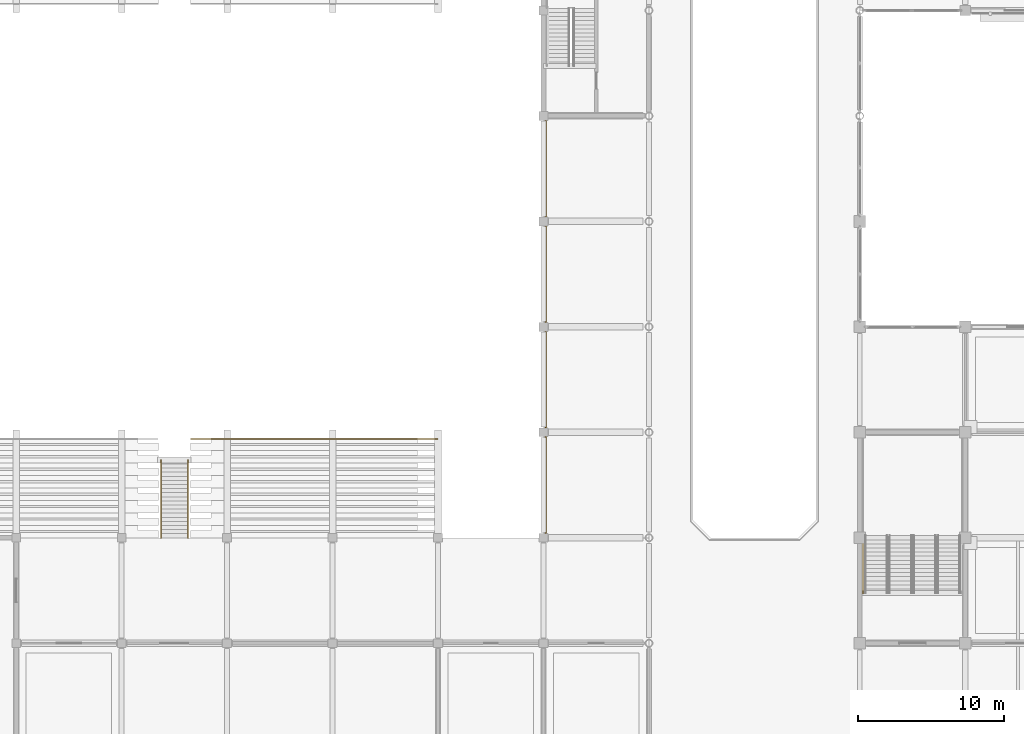
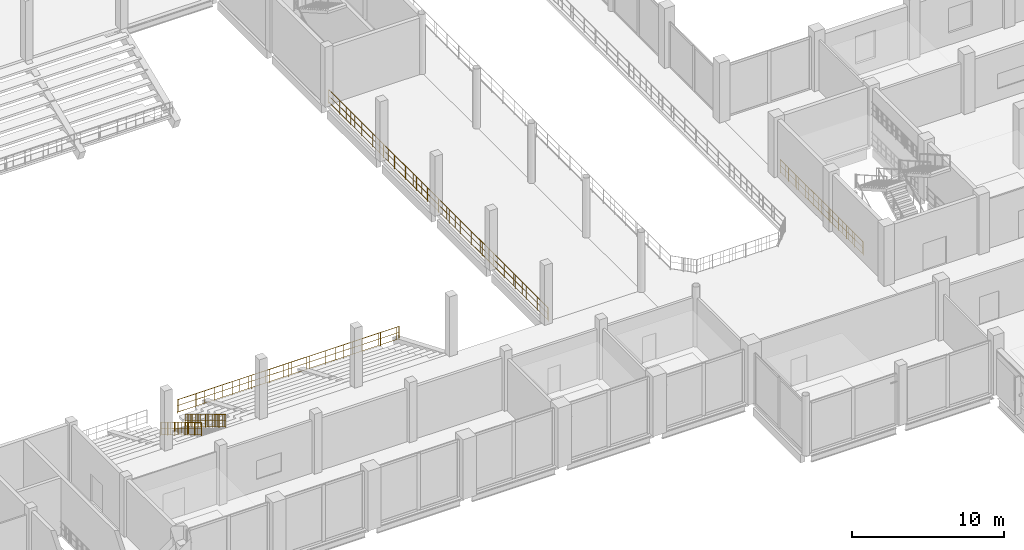
# One storey, part 87 of 99: 5 railings.
"""IFC4 building model written with IfcOpenShell, lengths in metres."""

import ifcopenshell
import ifcopenshell.guid

model = None  # the IFC model being written
_history = None  # IfcOwnerHistory: only IFC2X3 demands one
_inside = {}  # id of a spatial element -> (the spatial element, [elements in it])
_under = {}  # id of a project, library or spatial element -> (it, [spatial elements below it])
_declared = {}  # id of a project -> (the project, [libraries it declares])
_typed = {}  # id of a type object -> (the type object, [elements of that type])
_made_of = {}  # id of a material, layer set ... -> (it, [elements and type objects made of it])


def new_model(schema):
    """Start an empty IFC model of exactly this schema.

    Asked for "IFC4X3", IfcOpenShell would pick the latest addendum, in which some entities
    have other attributes; the version numbers below select the first issue.
    IFC2X3 requires an IfcOwnerHistory on every rooted entity: one is made here for all.
    """
    global model, _history
    if schema == "IFC4X3":
        model = ifcopenshell.file(schema_version=(4, 3, 0, 0))
    else:
        model = ifcopenshell.file(schema=schema)
    _inside.clear()
    _under.clear()
    _declared.clear()
    _typed.clear()
    _made_of.clear()
    _history = None
    if model.schema == "IFC2X3":
        org = make("IfcOrganization", Name="unknown")
        user = make(
            "IfcPersonAndOrganization",
            ThePerson=make("IfcPerson", FamilyName="unknown"),
            TheOrganization=org,
        )
        app = make(
            "IfcApplication",
            ApplicationDeveloper=org,
            Version="unknown",
            ApplicationFullName="unknown",
            ApplicationIdentifier="unknown",
        )
        _history = make(
            "IfcOwnerHistory",
            OwningUser=user,
            OwningApplication=app,
            ChangeAction="ADDED",
            CreationDate=0,
        )
    return model


def make(cls, **values):
    """One entity of the class cls with the attributes given. An attribute that is None is left unset."""
    return model.create_entity(
        cls, **{name: value for name, value in values.items() if value is not None}
    )


def rooted(cls, **values):
    """An entity with a GlobalId (a new one), such as an element, a storey or a relation."""
    return make(cls, GlobalId=ifcopenshell.guid.new(), OwnerHistory=_history, **values)


def si_unit(unit_type, name, prefix=None):
    """IfcSIUnit, for example si_unit("LENGTHUNIT", "METRE", prefix="MILLI")."""
    return make("IfcSIUnit", UnitType=unit_type, Prefix=prefix, Name=name)


def assignment(units):
    """IfcUnitAssignment: the units of a project."""
    return None if units is None else make("IfcUnitAssignment", Units=units)


def point(xyz):
    """IfcCartesianPoint."""
    return None if xyz is None else make("IfcCartesianPoint", Coordinates=xyz)


def direction(xyz):
    """IfcDirection."""
    return None if xyz is None else make("IfcDirection", DirectionRatios=xyz)


def frame(location, z_axis=None, x_axis=None):
    """IfcAxis2Placement3D, a coordinate frame: its origin and axes. An axis left out is left unset."""
    return make(
        "IfcAxis2Placement3D",
        Location=point(location),
        Axis=direction(z_axis),
        RefDirection=direction(x_axis),
    )


def frame_2d(location, x_axis=None):
    """IfcAxis2Placement2D, a coordinate frame in the plane: its origin and x axis."""
    return make(
        "IfcAxis2Placement2D", Location=point(location), RefDirection=direction(x_axis)
    )


def origin():
    """The frame at (0, 0, 0) with its axes left unset."""
    return frame((0.0, 0.0, 0.0))


def origin_2d():
    """The frame at (0, 0) in the plane with its x axis left unset."""
    return frame_2d((0.0, 0.0))


def place(relative_to, where):
    """IfcLocalPlacement: puts the frame where relative to a parent placement (None: the world)."""
    return make(
        "IfcLocalPlacement", PlacementRelTo=relative_to, RelativePlacement=where
    )


def context(
    kind, dimensions, precision=None, world=None, true_north=None, identifier=None
):
    """IfcGeometricRepresentationContext, for example the 3D "Model" context."""
    return make(
        "IfcGeometricRepresentationContext",
        ContextIdentifier=identifier,
        ContextType=kind,
        CoordinateSpaceDimension=dimensions,
        Precision=precision,
        WorldCoordinateSystem=world,
        TrueNorth=true_north,
    )


def subcontext(parent, identifier, kind, view, scale=None):
    """IfcGeometricRepresentationSubContext, for example "Body" below "Model"."""
    return make(
        "IfcGeometricRepresentationSubContext",
        ContextIdentifier=identifier,
        ContextType=kind,
        ParentContext=parent,
        TargetScale=scale,
        TargetView=view,
    )


def project(units=None, contexts=None):
    """IfcProject with its units and contexts."""
    return rooted(
        "IfcProject",
        Name="project",
        RepresentationContexts=contexts,
        UnitsInContext=assignment(units),
    )


def spatial(cls, under=None, at=None, **own):
    """A site, building, storey or space (cls), placed at a placement, below another one or the project."""
    s = rooted(cls, ObjectPlacement=at, **own)
    if under is not None:
        _under.setdefault(under.id(), (under, []))[1].append(s)
    return s


def profile(cls, at=None, kind="AREA", **sizes):
    """A parametric profile (cls). Its sizes go by their IFC names, for example OverallWidth=200.0."""
    return make(cls, ProfileType=kind, Position=at, **sizes)


def circle(**sizes):
    """IfcCircleProfileDef."""
    return profile("IfcCircleProfileDef", **sizes)


def extrude(swept, where, along, depth):
    """IfcExtrudedAreaSolid: the profile swept, set in the frame where, extruded along a direction by depth."""
    return make(
        "IfcExtrudedAreaSolid",
        SweptArea=swept,
        Position=where,
        ExtrudedDirection=direction(along),
        Depth=depth,
    )


def shape(context_of_items, identifier, shape_type, items):
    """IfcShapeRepresentation: the items that make up one representation, for example the "Body"."""
    return make(
        "IfcShapeRepresentation",
        ContextOfItems=context_of_items,
        RepresentationIdentifier=identifier,
        RepresentationType=shape_type,
        Items=items,
    )


def material(Name=None, Category=None):
    """IfcMaterial."""
    return make("IfcMaterial", Name=Name, Category=Category)


def made_of(thing, what):
    """Note that an element or type object is made of a material, layer set ...; save() writes the relation."""
    if what is not None:
        _made_of.setdefault(what.id(), (what, []))[1].append(thing)
    return thing


def type_object(cls, material=None, **own):
    """A type object (cls), such as IfcWallType, which elements share."""
    return made_of(rooted(cls, **own), material)


def element(
    cls,
    number,
    at=None,
    inside=None,
    cuts=None,
    type_object=None,
    material=None,
    context=None,
    identifier="Body",
    shape_type=None,
    held_by="IfcProductDefinitionShape",
    body=None,
    shapes=None,
    **own,
):
    """One element of the class cls, such as IfcWall. Its Tag is "e" and its number.

    at: its placement. inside: the storey or other place that contains it. cuts: it is an
    opening in that element (IfcRelVoidsElement). A single representation is given by context,
    identifier, shape_type and body (its items); several are given by shapes. held_by: the class
    of the entity that holds the representations. save() writes the other relations.
    """
    e = rooted(cls, Tag="e%d" % number, ObjectPlacement=at, **own)
    if body is not None:
        shapes = [shape(context, identifier, shape_type, body)]
    if shapes is not None:
        e.Representation = make(held_by, Representations=shapes)
    if inside is not None:
        _inside.setdefault(inside.id(), (inside, []))[1].append(e)
    if cuts is not None:
        rooted(
            "IfcRelVoidsElement", RelatingBuildingElement=cuts, RelatedOpeningElement=e
        )
    if type_object is not None:
        _typed.setdefault(type_object.id(), (type_object, []))[1].append(e)
    return made_of(e, material)


def aggregate(whole, parts):
    """IfcRelAggregates: a whole, such as a stair, and the parts it consists of."""
    return rooted("IfcRelAggregates", RelatingObject=whole, RelatedObjects=parts)


def save(model, path):
    """Write the relations noted so far, then the file.

    IfcRelAggregates (storeys below a building ...), IfcRelContainedInSpatialStructure (elements
    in a storey), IfcRelDefinesByType, IfcRelAssociatesMaterial and IfcRelDeclares: one each for
    every whole, place, type object, material and project.
    """
    for whole, parts in _under.values():
        aggregate(whole, parts)
    for where, things in _inside.values():
        rooted(
            "IfcRelContainedInSpatialStructure",
            RelatedElements=things,
            RelatingStructure=where,
        )
    for kind, things in _typed.values():
        rooted("IfcRelDefinesByType", RelatedObjects=things, RelatingType=kind)
    for what, things in _made_of.values():
        rooted("IfcRelAssociatesMaterial", RelatedObjects=things, RelatingMaterial=what)
    for by, libraries in _declared.values():
        rooted("IfcRelDeclares", RelatingContext=by, RelatedDefinitions=libraries)
    model.write(path)


model = new_model("IFC4")

# Units and contexts
model_context = context("Model", 3, precision=1e-05, world=origin(), true_north=direction((0.0, 1.0)))
body_context = subcontext(model_context, "Body", "Model", "MODEL_VIEW")
ifc_project = project(units=[si_unit("LENGTHUNIT", "METRE"), si_unit("AREAUNIT", "SQUARE_METRE"), si_unit("VOLUMEUNIT", "CUBIC_METRE"), si_unit("PLANEANGLEUNIT", "RADIAN"), si_unit("MASSUNIT", "GRAM", prefix="KILO")], contexts=[model_context])

# Site, building, storey
site_placement = place(None, origin())
site = spatial("IfcSite", under=ifc_project, at=site_placement, CompositionType="ELEMENT")
building_placement = place(site_placement, origin())
building = spatial("IfcBuilding", under=site, at=building_placement, Name="Vesperath Aquatics Centre", CompositionType="ELEMENT")
storey_placement = place(building_placement, frame((0.0, 0.0, 5.39990234375)))
storey = spatial("IfcBuildingStorey", under=building, at=storey_placement, Name="L01", CompositionType="ELEMENT", Elevation=5.39990234375)

# Railings
ifc_material = material(Name="Powder-coated galvanized steel safety guard", Category="steel")
railing_type = type_object("IfcRailingType", Name="RL-GRD01", PredefinedType="GUARDRAIL", material=ifc_material)
railing_1_placement = place(storey_placement, frame((115.419921875, 25.0, 0.0)))
element("IfcRailing", 1, at=railing_1_placement, inside=storey, type_object=railing_type, Name="Stair ST7A Shaft Side Guard GR02 L01", PredefinedType="GUARDRAIL", context=body_context, shape_type="SweptSolid", body=[
    extrude(circle(Radius=0.02392578125, at=origin_2d()), frame((0.0, 0.0, 1.0859375), z_axis=(0.0, 1.0, 0.0), x_axis=(-1.0, 0.0, 0.0)), (0.0, 0.0, 1.0), 10.8701171875),
    extrude(circle(Radius=0.01611328125, at=origin_2d()), frame((0.0, 0.0, 0.10009765625), z_axis=(0.0, 1.0, 0.0), x_axis=(-1.0, 0.0, 0.0)), (0.0, 0.0, 1.0), 10.8701171875),
    extrude(circle(Radius=0.01611328125, at=origin_2d()), frame((0.0, 0.0, 0.610595703125), z_axis=(0.0, 1.0, 0.0), x_axis=(-1.0, 0.0, 0.0)), (0.0, 0.0, 1.0), 10.8701171875),
    extrude(circle(Radius=0.009033203125, at=origin_2d()), frame((0.0, 0.10986328125, 0.10009765625)), (0.0, 0.0, 1.0), 0.9619140625),
    extrude(circle(Radius=0.009033203125, at=origin_2d()), frame((0.0, 0.549072265625, 0.10009765625)), (0.0, 0.0, 1.0), 0.9619140625),
    extrude(circle(Radius=0.009033203125, at=origin_2d()), frame((0.0, 0.98828125, 0.10009765625)), (0.0, 0.0, 1.0), 0.9619140625),
    extrude(circle(Radius=0.009033203125, at=origin_2d()), frame((0.0, 1.427490234375, 0.10009765625)), (0.0, 0.0, 1.0), 0.9619140625),
    extrude(circle(Radius=0.009033203125, at=origin_2d()), frame((0.0, 1.86669921875, 0.10009765625)), (0.0, 0.0, 1.0), 0.9619140625),
    extrude(circle(Radius=0.009033203125, at=origin_2d()), frame((0.0, 2.3056640625, 0.10009765625)), (0.0, 0.0, 1.0), 0.9619140625),
    extrude(circle(Radius=0.009033203125, at=origin_2d()), frame((0.0, 2.744873046875, 0.10009765625)), (0.0, 0.0, 1.0), 0.9619140625),
    extrude(circle(Radius=0.009033203125, at=origin_2d()), frame((0.0, 3.18408203125, 0.10009765625)), (0.0, 0.0, 1.0), 0.9619140625),
    extrude(circle(Radius=0.009033203125, at=origin_2d()), frame((0.0, 3.623291015625, 0.10009765625)), (0.0, 0.0, 1.0), 0.9619140625),
    extrude(circle(Radius=0.009033203125, at=origin_2d()), frame((0.0, 4.0625, 0.10009765625)), (0.0, 0.0, 1.0), 0.9619140625),
    extrude(circle(Radius=0.009033203125, at=origin_2d()), frame((0.0, 4.501708984375, 0.10009765625)), (0.0, 0.0, 1.0), 0.9619140625),
    extrude(circle(Radius=0.009033203125, at=origin_2d()), frame((0.0, 4.94091796875, 0.10009765625)), (0.0, 0.0, 1.0), 0.9619140625),
    extrude(circle(Radius=0.009033203125, at=origin_2d()), frame((0.0, 5.380126953125, 0.10009765625)), (0.0, 0.0, 1.0), 0.9619140625),
    extrude(circle(Radius=0.009033203125, at=origin_2d()), frame((0.0, 5.8193359375, 0.10009765625)), (0.0, 0.0, 1.0), 0.9619140625),
    extrude(circle(Radius=0.009033203125, at=origin_2d()), frame((0.0, 6.258544921875, 0.10009765625)), (0.0, 0.0, 1.0), 0.9619140625),
    extrude(circle(Radius=0.009033203125, at=origin_2d()), frame((0.0, 6.69775390625, 0.10009765625)), (0.0, 0.0, 1.0), 0.9619140625),
    extrude(circle(Radius=0.009033203125, at=origin_2d()), frame((0.0, 7.136962890625, 0.10009765625)), (0.0, 0.0, 1.0), 0.9619140625),
    extrude(circle(Radius=0.009033203125, at=origin_2d()), frame((0.0, 7.576171875, 0.10009765625)), (0.0, 0.0, 1.0), 0.9619140625),
    extrude(circle(Radius=0.009033203125, at=origin_2d()), frame((0.0, 8.015380859375, 0.10009765625)), (0.0, 0.0, 1.0), 0.9619140625),
    extrude(circle(Radius=0.009033203125, at=origin_2d()), frame((0.0, 8.45458984375, 0.10009765625)), (0.0, 0.0, 1.0), 0.9619140625),
    extrude(circle(Radius=0.009033203125, at=origin_2d()), frame((0.0, 8.893798828125, 0.10009765625)), (0.0, 0.0, 1.0), 0.9619140625),
    extrude(circle(Radius=0.009033203125, at=origin_2d()), frame((0.0, 9.3330078125, 0.10009765625)), (0.0, 0.0, 1.0), 0.9619140625),
    extrude(circle(Radius=0.009033203125, at=origin_2d()), frame((0.0, 9.772216796875, 0.10009765625)), (0.0, 0.0, 1.0), 0.9619140625),
    extrude(circle(Radius=0.009033203125, at=origin_2d()), frame((0.0, 10.21142578125, 0.10009765625)), (0.0, 0.0, 1.0), 0.9619140625),
    extrude(circle(Radius=0.009033203125, at=origin_2d()), frame((0.0, 10.650634765625, 0.10009765625)), (0.0, 0.0, 1.0), 0.9619140625),
    extrude(circle(Radius=0.02197265625, at=origin_2d()), origin(), (0.0, 0.0, 1.0), 1.0859375),
    extrude(circle(Radius=0.02197265625, at=origin_2d()), frame((0.0, 1.0869140625, 0.0)), (0.0, 0.0, 1.0), 1.0859375),
    extrude(circle(Radius=0.02197265625, at=origin_2d()), frame((0.0, 2.174072265625, 0.0)), (0.0, 0.0, 1.0), 1.0859375),
    extrude(circle(Radius=0.02197265625, at=origin_2d()), frame((0.0, 3.260986328125, 0.0)), (0.0, 0.0, 1.0), 1.0859375),
    extrude(circle(Radius=0.02197265625, at=origin_2d()), frame((0.0, 4.34814453125, 0.0)), (0.0, 0.0, 1.0), 1.0859375),
    extrude(circle(Radius=0.02197265625, at=origin_2d()), frame((0.0, 5.43505859375, 0.0)), (0.0, 0.0, 1.0), 1.0859375),
    extrude(circle(Radius=0.02197265625, at=origin_2d()), frame((0.0, 6.52197265625, 0.0)), (0.0, 0.0, 1.0), 1.0859375),
    extrude(circle(Radius=0.02197265625, at=origin_2d()), frame((0.0, 7.609130859375, 0.0)), (0.0, 0.0, 1.0), 1.0859375),
    extrude(circle(Radius=0.02197265625, at=origin_2d()), frame((0.0, 8.696044921875, 0.0)), (0.0, 0.0, 1.0), 1.0859375),
    extrude(circle(Radius=0.02197265625, at=origin_2d()), frame((0.0, 9.783203125, 0.0)), (0.0, 0.0, 1.0), 1.0859375),
    extrude(circle(Radius=0.02197265625, at=origin_2d()), frame((0.0, 10.8701171875, 0.0)), (0.0, 0.0, 1.0), 1.0859375),
])
railing_2_placement = place(storey_placement, frame((67.47998046875, 34.1201171875, -3.199951171875)))
element("IfcRailing", 2, at=railing_2_placement, inside=storey, type_object=railing_type, Name="Vomitory VOM-03 Guardrail GR02-W", PredefinedType="GUARDRAIL", context=body_context, shape_type="SweptSolid", body=[
    extrude(circle(Radius=0.02392578125, at=origin_2d()), frame((0.0, 0.0, 1.0859375), z_axis=(0.0, -0.85693029826, 0.515432307801), x_axis=(1.0, 0.0, 0.0)), (0.0, 0.0, 1.0), 6.208251953125),
    extrude(circle(Radius=0.01611328125, at=origin_2d()), frame((0.0, 0.0, 0.10009765625), z_axis=(0.0, -0.85693029826, 0.515432307801), x_axis=(1.0, 0.0, 0.0)), (0.0, 0.0, 1.0), 6.208251953125),
    extrude(circle(Radius=0.01611328125, at=origin_2d()), frame((0.0, 0.0, 0.610595703125), z_axis=(0.0, -0.85693029826, 0.515432307801), x_axis=(1.0, 0.0, 0.0)), (0.0, 0.0, 1.0), 6.208251953125),
    extrude(circle(Radius=0.009033203125, at=origin_2d()), frame((0.0, -0.09326171875, 0.15625)), (0.0, 0.0, 1.0), 0.9619140625),
    extrude(circle(Radius=0.009033203125, at=origin_2d()), frame((0.0, -0.280029296875, 0.2685546875)), (0.0, 0.0, 1.0), 0.9619140625),
    extrude(circle(Radius=0.009033203125, at=origin_2d()), frame((0.0, -0.466552734375, 0.380859375)), (0.0, 0.0, 1.0), 0.9619140625),
    extrude(circle(Radius=0.009033203125, at=origin_2d()), frame((0.0, -0.6533203125, 0.4931640625)), (0.0, 0.0, 1.0), 0.9619140625),
    extrude(circle(Radius=0.009033203125, at=origin_2d()), frame((0.0, -0.840087890625, 0.60546875)), (0.0, 0.0, 1.0), 0.9619140625),
    extrude(circle(Radius=0.009033203125, at=origin_2d()), frame((0.0, -1.026611328125, 0.717529296875)), (0.0, 0.0, 1.0), 0.9619140625),
    extrude(circle(Radius=0.009033203125, at=origin_2d()), frame((0.0, -1.21337890625, 0.829833984375)), (0.0, 0.0, 1.0), 0.9619140625),
    extrude(circle(Radius=0.009033203125, at=origin_2d()), frame((0.0, -1.39990234375, 0.942138671875)), (0.0, 0.0, 1.0), 0.9619140625),
    extrude(circle(Radius=0.009033203125, at=origin_2d()), frame((0.0, -1.586669921875, 1.054443359375)), (0.0, 0.0, 1.0), 0.9619140625),
    extrude(circle(Radius=0.009033203125, at=origin_2d()), frame((0.0, -1.7734375, 1.166748046875)), (0.0, 0.0, 1.0), 0.9619140625),
    extrude(circle(Radius=0.009033203125, at=origin_2d()), frame((0.0, -1.9599609375, 1.279052734375)), (0.0, 0.0, 1.0), 0.9619140625),
    extrude(circle(Radius=0.009033203125, at=origin_2d()), frame((0.0, -2.146728515625, 1.391357421875)), (0.0, 0.0, 1.0), 0.9619140625),
    extrude(circle(Radius=0.009033203125, at=origin_2d()), frame((0.0, -2.333251953125, 1.503662109375)), (0.0, 0.0, 1.0), 0.9619140625),
    extrude(circle(Radius=0.009033203125, at=origin_2d()), frame((0.0, -2.52001953125, 1.615966796875)), (0.0, 0.0, 1.0), 0.9619140625),
    extrude(circle(Radius=0.009033203125, at=origin_2d()), frame((0.0, -2.706787109375, 1.72802734375)), (0.0, 0.0, 1.0), 0.9619140625),
    extrude(circle(Radius=0.009033203125, at=origin_2d()), frame((0.0, -2.893310546875, 1.84033203125)), (0.0, 0.0, 1.0), 0.9619140625),
    extrude(circle(Radius=0.009033203125, at=origin_2d()), frame((0.0, -3.080078125, 1.95263671875)), (0.0, 0.0, 1.0), 0.9619140625),
    extrude(circle(Radius=0.009033203125, at=origin_2d()), frame((0.0, -3.2666015625, 2.06494140625)), (0.0, 0.0, 1.0), 0.9619140625),
    extrude(circle(Radius=0.009033203125, at=origin_2d()), frame((0.0, -3.453369140625, 2.17724609375)), (0.0, 0.0, 1.0), 0.9619140625),
    extrude(circle(Radius=0.009033203125, at=origin_2d()), frame((0.0, -3.64013671875, 2.28955078125)), (0.0, 0.0, 1.0), 0.9619140625),
    extrude(circle(Radius=0.009033203125, at=origin_2d()), frame((0.0, -3.82666015625, 2.40185546875)), (0.0, 0.0, 1.0), 0.9619140625),
    extrude(circle(Radius=0.009033203125, at=origin_2d()), frame((0.0, -4.013427734375, 2.51416015625)), (0.0, 0.0, 1.0), 0.9619140625),
    extrude(circle(Radius=0.009033203125, at=origin_2d()), frame((0.0, -4.199951171875, 2.62646484375)), (0.0, 0.0, 1.0), 0.9619140625),
    extrude(circle(Radius=0.009033203125, at=origin_2d()), frame((0.0, -4.38671875, 2.73876953125)), (0.0, 0.0, 1.0), 0.9619140625),
    extrude(circle(Radius=0.009033203125, at=origin_2d()), frame((0.0, -4.573486328125, 2.850830078125)), (0.0, 0.0, 1.0), 0.9619140625),
    extrude(circle(Radius=0.009033203125, at=origin_2d()), frame((0.0, -4.760009765625, 2.963134765625)), (0.0, 0.0, 1.0), 0.9619140625),
    extrude(circle(Radius=0.009033203125, at=origin_2d()), frame((0.0, -4.94677734375, 3.075439453125)), (0.0, 0.0, 1.0), 0.9619140625),
    extrude(circle(Radius=0.009033203125, at=origin_2d()), frame((0.0, -5.13330078125, 3.187744140625)), (0.0, 0.0, 1.0), 0.9619140625),
    extrude(circle(Radius=0.02197265625, at=origin_2d()), origin(), (0.0, 0.0, 1.0), 1.0859375),
    extrude(circle(Radius=0.02197265625, at=origin_2d()), frame((0.0, -0.88671875, 0.533203125)), (0.0, 0.0, 1.0), 1.0859375),
    extrude(circle(Radius=0.02197265625, at=origin_2d()), frame((0.0, -1.7734375, 1.066650390625)), (0.0, 0.0, 1.0), 1.0859375),
    extrude(circle(Radius=0.02197265625, at=origin_2d()), frame((0.0, -2.66015625, 1.60009765625)), (0.0, 0.0, 1.0), 1.0859375),
    extrude(circle(Radius=0.02197265625, at=origin_2d()), frame((0.0, -3.546630859375, 2.13330078125)), (0.0, 0.0, 1.0), 1.0859375),
    extrude(circle(Radius=0.02197265625, at=origin_2d()), frame((0.0, -4.433349609375, 2.66650390625)), (0.0, 0.0, 1.0), 1.0859375),
    extrude(circle(Radius=0.02197265625, at=origin_2d()), frame((0.0, -5.320068359375, 3.199951171875)), (0.0, 0.0, 1.0), 1.0859375),
])
railing_3_placement = place(storey_placement, frame((69.320068359375, 34.1201171875, -3.199951171875)))
element("IfcRailing", 3, at=railing_3_placement, inside=storey, type_object=railing_type, Name="Vomitory VOM-03 Guardrail GR02-E", PredefinedType="GUARDRAIL", context=body_context, shape_type="SweptSolid", body=[
    extrude(circle(Radius=0.02392578125, at=origin_2d()), frame((0.0, 0.0, 1.0859375), z_axis=(0.0, -0.85693029826, 0.515432307801), x_axis=(1.0, 0.0, 0.0)), (0.0, 0.0, 1.0), 6.208251953125),
    extrude(circle(Radius=0.01611328125, at=origin_2d()), frame((0.0, 0.0, 0.10009765625), z_axis=(0.0, -0.85693029826, 0.515432307801), x_axis=(1.0, 0.0, 0.0)), (0.0, 0.0, 1.0), 6.208251953125),
    extrude(circle(Radius=0.01611328125, at=origin_2d()), frame((0.0, 0.0, 0.610595703125), z_axis=(0.0, -0.85693029826, 0.515432307801), x_axis=(1.0, 0.0, 0.0)), (0.0, 0.0, 1.0), 6.208251953125),
    extrude(circle(Radius=0.009033203125, at=origin_2d()), frame((0.0, -0.09326171875, 0.15625)), (0.0, 0.0, 1.0), 0.9619140625),
    extrude(circle(Radius=0.009033203125, at=origin_2d()), frame((0.0, -0.280029296875, 0.2685546875)), (0.0, 0.0, 1.0), 0.9619140625),
    extrude(circle(Radius=0.009033203125, at=origin_2d()), frame((0.0, -0.466552734375, 0.380859375)), (0.0, 0.0, 1.0), 0.9619140625),
    extrude(circle(Radius=0.009033203125, at=origin_2d()), frame((0.0, -0.6533203125, 0.4931640625)), (0.0, 0.0, 1.0), 0.9619140625),
    extrude(circle(Radius=0.009033203125, at=origin_2d()), frame((0.0, -0.840087890625, 0.60546875)), (0.0, 0.0, 1.0), 0.9619140625),
    extrude(circle(Radius=0.009033203125, at=origin_2d()), frame((0.0, -1.026611328125, 0.717529296875)), (0.0, 0.0, 1.0), 0.9619140625),
    extrude(circle(Radius=0.009033203125, at=origin_2d()), frame((0.0, -1.21337890625, 0.829833984375)), (0.0, 0.0, 1.0), 0.9619140625),
    extrude(circle(Radius=0.009033203125, at=origin_2d()), frame((0.0, -1.39990234375, 0.942138671875)), (0.0, 0.0, 1.0), 0.9619140625),
    extrude(circle(Radius=0.009033203125, at=origin_2d()), frame((0.0, -1.586669921875, 1.054443359375)), (0.0, 0.0, 1.0), 0.9619140625),
    extrude(circle(Radius=0.009033203125, at=origin_2d()), frame((0.0, -1.7734375, 1.166748046875)), (0.0, 0.0, 1.0), 0.9619140625),
    extrude(circle(Radius=0.009033203125, at=origin_2d()), frame((0.0, -1.9599609375, 1.279052734375)), (0.0, 0.0, 1.0), 0.9619140625),
    extrude(circle(Radius=0.009033203125, at=origin_2d()), frame((0.0, -2.146728515625, 1.391357421875)), (0.0, 0.0, 1.0), 0.9619140625),
    extrude(circle(Radius=0.009033203125, at=origin_2d()), frame((0.0, -2.333251953125, 1.503662109375)), (0.0, 0.0, 1.0), 0.9619140625),
    extrude(circle(Radius=0.009033203125, at=origin_2d()), frame((0.0, -2.52001953125, 1.615966796875)), (0.0, 0.0, 1.0), 0.9619140625),
    extrude(circle(Radius=0.009033203125, at=origin_2d()), frame((0.0, -2.706787109375, 1.72802734375)), (0.0, 0.0, 1.0), 0.9619140625),
    extrude(circle(Radius=0.009033203125, at=origin_2d()), frame((0.0, -2.893310546875, 1.84033203125)), (0.0, 0.0, 1.0), 0.9619140625),
    extrude(circle(Radius=0.009033203125, at=origin_2d()), frame((0.0, -3.080078125, 1.95263671875)), (0.0, 0.0, 1.0), 0.9619140625),
    extrude(circle(Radius=0.009033203125, at=origin_2d()), frame((0.0, -3.2666015625, 2.06494140625)), (0.0, 0.0, 1.0), 0.9619140625),
    extrude(circle(Radius=0.009033203125, at=origin_2d()), frame((0.0, -3.453369140625, 2.17724609375)), (0.0, 0.0, 1.0), 0.9619140625),
    extrude(circle(Radius=0.009033203125, at=origin_2d()), frame((0.0, -3.64013671875, 2.28955078125)), (0.0, 0.0, 1.0), 0.9619140625),
    extrude(circle(Radius=0.009033203125, at=origin_2d()), frame((0.0, -3.82666015625, 2.40185546875)), (0.0, 0.0, 1.0), 0.9619140625),
    extrude(circle(Radius=0.009033203125, at=origin_2d()), frame((0.0, -4.013427734375, 2.51416015625)), (0.0, 0.0, 1.0), 0.9619140625),
    extrude(circle(Radius=0.009033203125, at=origin_2d()), frame((0.0, -4.199951171875, 2.62646484375)), (0.0, 0.0, 1.0), 0.9619140625),
    extrude(circle(Radius=0.009033203125, at=origin_2d()), frame((0.0, -4.38671875, 2.73876953125)), (0.0, 0.0, 1.0), 0.9619140625),
    extrude(circle(Radius=0.009033203125, at=origin_2d()), frame((0.0, -4.573486328125, 2.850830078125)), (0.0, 0.0, 1.0), 0.9619140625),
    extrude(circle(Radius=0.009033203125, at=origin_2d()), frame((0.0, -4.760009765625, 2.963134765625)), (0.0, 0.0, 1.0), 0.9619140625),
    extrude(circle(Radius=0.009033203125, at=origin_2d()), frame((0.0, -4.94677734375, 3.075439453125)), (0.0, 0.0, 1.0), 0.9619140625),
    extrude(circle(Radius=0.009033203125, at=origin_2d()), frame((0.0, -5.13330078125, 3.187744140625)), (0.0, 0.0, 1.0), 0.9619140625),
    extrude(circle(Radius=0.02197265625, at=origin_2d()), origin(), (0.0, 0.0, 1.0), 1.0859375),
    extrude(circle(Radius=0.02197265625, at=origin_2d()), frame((0.0, -0.88671875, 0.533203125)), (0.0, 0.0, 1.0), 1.0859375),
    extrude(circle(Radius=0.02197265625, at=origin_2d()), frame((0.0, -1.7734375, 1.066650390625)), (0.0, 0.0, 1.0), 1.0859375),
    extrude(circle(Radius=0.02197265625, at=origin_2d()), frame((0.0, -2.66015625, 1.60009765625)), (0.0, 0.0, 1.0), 1.0859375),
    extrude(circle(Radius=0.02197265625, at=origin_2d()), frame((0.0, -3.546630859375, 2.13330078125)), (0.0, 0.0, 1.0), 1.0859375),
    extrude(circle(Radius=0.02197265625, at=origin_2d()), frame((0.0, -4.433349609375, 2.66650390625)), (0.0, 0.0, 1.0), 1.0859375),
    extrude(circle(Radius=0.02197265625, at=origin_2d()), frame((0.0, -5.320068359375, 3.199951171875)), (0.0, 0.0, 1.0), 1.0859375),
])
railing_4_placement = place(storey_placement, frame((69.550048828125, 35.550048828125, -3.0)))
element("IfcRailing", 4, at=railing_4_placement, inside=storey, type_object=railing_type, Name="Safety Guardrail GR02 GRD_L01_BOWL_S4", PredefinedType="GUARDRAIL", context=body_context, shape_type="SweptSolid", body=[
    extrude(circle(Radius=0.02392578125, at=origin_2d()), frame((0.0, 0.0, 1.0859375), z_axis=(1.0, 0.0, 0.0), x_axis=(0.0, 1.0, 0.0)), (0.0, 0.0, 1.0), 16.800048828125),
    extrude(circle(Radius=0.01611328125, at=origin_2d()), frame((0.0, 0.0, 0.10009765625), z_axis=(1.0, 0.0, 0.0), x_axis=(0.0, 1.0, 0.0)), (0.0, 0.0, 1.0), 16.800048828125),
    extrude(circle(Radius=0.01611328125, at=origin_2d()), frame((0.0, 0.0, 0.610595703125), z_axis=(1.0, 0.0, 0.0), x_axis=(0.0, 1.0, 0.0)), (0.0, 0.0, 1.0), 16.800048828125),
    extrude(circle(Radius=0.009033203125, at=origin_2d()), frame((0.10986328125, 0.0, 0.10009765625)), (0.0, 0.0, 1.0), 0.9619140625),
    extrude(circle(Radius=0.009033203125, at=origin_2d()), frame((0.7685546875, 0.0, 0.10009765625)), (0.0, 0.0, 1.0), 0.9619140625),
    extrude(circle(Radius=0.009033203125, at=origin_2d()), frame((1.427490234375, 0.0, 0.10009765625)), (0.0, 0.0, 1.0), 0.9619140625),
    extrude(circle(Radius=0.009033203125, at=origin_2d()), frame((2.086181640625, 0.0, 0.10009765625)), (0.0, 0.0, 1.0), 0.9619140625),
    extrude(circle(Radius=0.009033203125, at=origin_2d()), frame((2.7451171875, 0.0, 0.10009765625)), (0.0, 0.0, 1.0), 0.9619140625),
    extrude(circle(Radius=0.009033203125, at=origin_2d()), frame((3.404052734375, 0.0, 0.10009765625)), (0.0, 0.0, 1.0), 0.9619140625),
    extrude(circle(Radius=0.009033203125, at=origin_2d()), frame((4.062744140625, 0.0, 0.10009765625)), (0.0, 0.0, 1.0), 0.9619140625),
    extrude(circle(Radius=0.009033203125, at=origin_2d()), frame((4.7216796875, 0.0, 0.10009765625)), (0.0, 0.0, 1.0), 0.9619140625),
    extrude(circle(Radius=0.009033203125, at=origin_2d()), frame((5.38037109375, 0.0, 0.10009765625)), (0.0, 0.0, 1.0), 0.9619140625),
    extrude(circle(Radius=0.009033203125, at=origin_2d()), frame((6.039306640625, 0.0, 0.10009765625)), (0.0, 0.0, 1.0), 0.9619140625),
    extrude(circle(Radius=0.009033203125, at=origin_2d()), frame((6.697998046875, 0.0, 0.10009765625)), (0.0, 0.0, 1.0), 0.9619140625),
    extrude(circle(Radius=0.009033203125, at=origin_2d()), frame((7.35693359375, 0.0, 0.10009765625)), (0.0, 0.0, 1.0), 0.9619140625),
    extrude(circle(Radius=0.009033203125, at=origin_2d()), frame((8.015625, 0.0, 0.10009765625)), (0.0, 0.0, 1.0), 0.9619140625),
    extrude(circle(Radius=0.009033203125, at=origin_2d()), frame((8.674560546875, 0.0, 0.10009765625)), (0.0, 0.0, 1.0), 0.9619140625),
    extrude(circle(Radius=0.009033203125, at=origin_2d()), frame((9.333251953125, 0.0, 0.10009765625)), (0.0, 0.0, 1.0), 0.9619140625),
    extrude(circle(Radius=0.009033203125, at=origin_2d()), frame((9.9921875, 0.0, 0.10009765625)), (0.0, 0.0, 1.0), 0.9619140625),
    extrude(circle(Radius=0.009033203125, at=origin_2d()), frame((10.651123046875, 0.0, 0.10009765625)), (0.0, 0.0, 1.0), 0.9619140625),
    extrude(circle(Radius=0.009033203125, at=origin_2d()), frame((11.309814453125, 0.0, 0.10009765625)), (0.0, 0.0, 1.0), 0.9619140625),
    extrude(circle(Radius=0.009033203125, at=origin_2d()), frame((11.96875, 0.0, 0.10009765625)), (0.0, 0.0, 1.0), 0.9619140625),
    extrude(circle(Radius=0.009033203125, at=origin_2d()), frame((12.62744140625, 0.0, 0.10009765625)), (0.0, 0.0, 1.0), 0.9619140625),
    extrude(circle(Radius=0.009033203125, at=origin_2d()), frame((13.286376953125, 0.0, 0.10009765625)), (0.0, 0.0, 1.0), 0.9619140625),
    extrude(circle(Radius=0.009033203125, at=origin_2d()), frame((13.945068359375, 0.0, 0.10009765625)), (0.0, 0.0, 1.0), 0.9619140625),
    extrude(circle(Radius=0.009033203125, at=origin_2d()), frame((14.60400390625, 0.0, 0.10009765625)), (0.0, 0.0, 1.0), 0.9619140625),
    extrude(circle(Radius=0.009033203125, at=origin_2d()), frame((15.2626953125, 0.0, 0.10009765625)), (0.0, 0.0, 1.0), 0.9619140625),
    extrude(circle(Radius=0.009033203125, at=origin_2d()), frame((15.921630859375, 0.0, 0.10009765625)), (0.0, 0.0, 1.0), 0.9619140625),
    extrude(circle(Radius=0.009033203125, at=origin_2d()), frame((16.580322265625, 0.0, 0.10009765625)), (0.0, 0.0, 1.0), 0.9619140625),
    extrude(circle(Radius=0.02197265625, at=origin_2d()), origin(), (0.0, 0.0, 1.0), 1.0859375),
    extrude(circle(Radius=0.02197265625, at=origin_2d()), frame((1.39990234375, 0.0, 0.0)), (0.0, 0.0, 1.0), 1.0859375),
    extrude(circle(Radius=0.02197265625, at=origin_2d()), frame((2.800048828125, 0.0, 0.0)), (0.0, 0.0, 1.0), 1.0859375),
    extrude(circle(Radius=0.02197265625, at=origin_2d()), frame((4.199951171875, 0.0, 0.0)), (0.0, 0.0, 1.0), 1.0859375),
    extrude(circle(Radius=0.02197265625, at=origin_2d()), frame((5.60009765625, 0.0, 0.0)), (0.0, 0.0, 1.0), 1.0859375),
    extrude(circle(Radius=0.02197265625, at=origin_2d()), frame((7.0, 0.0, 0.0)), (0.0, 0.0, 1.0), 1.0859375),
    extrude(circle(Radius=0.02197265625, at=origin_2d()), frame((8.39990234375, 0.0, 0.0)), (0.0, 0.0, 1.0), 1.0859375),
    extrude(circle(Radius=0.02197265625, at=origin_2d()), frame((9.800048828125, 0.0, 0.0)), (0.0, 0.0, 1.0), 1.0859375),
    extrude(circle(Radius=0.02197265625, at=origin_2d()), frame((11.199951171875, 0.0, 0.0)), (0.0, 0.0, 1.0), 1.0859375),
    extrude(circle(Radius=0.02197265625, at=origin_2d()), frame((12.60009765625, 0.0, 0.0)), (0.0, 0.0, 1.0), 1.0859375),
    extrude(circle(Radius=0.02197265625, at=origin_2d()), frame((14.0, 0.0, 0.0)), (0.0, 0.0, 1.0), 1.0859375),
    extrude(circle(Radius=0.02197265625, at=origin_2d()), frame((15.400146484375, 0.0, 0.0)), (0.0, 0.0, 1.0), 1.0859375),
    extrude(circle(Radius=0.02197265625, at=origin_2d()), frame((16.800048828125, 0.0, 0.0)), (0.0, 0.0, 1.0), 1.0859375),
])
railing_5_placement = place(storey_placement, frame((93.75, 28.800048828125, 0.0)))
element("IfcRailing", 5, at=railing_5_placement, inside=storey, type_object=railing_type, Name="Safety Guardrail GR02 GRD_L01_CONC_E", PredefinedType="GUARDRAIL", context=body_context, shape_type="SweptSolid", body=[
    extrude(circle(Radius=0.02392578125, at=origin_2d()), frame((0.0, 0.0, 1.0859375), z_axis=(0.0, 1.0, 0.0), x_axis=(-1.0, 0.0, 0.0)), (0.0, 0.0, 1.0), 28.800048828125),
    extrude(circle(Radius=0.01611328125, at=origin_2d()), frame((0.0, 0.0, 0.10009765625), z_axis=(0.0, 1.0, 0.0), x_axis=(-1.0, 0.0, 0.0)), (0.0, 0.0, 1.0), 28.800048828125),
    extrude(circle(Radius=0.01611328125, at=origin_2d()), frame((0.0, 0.0, 0.610595703125), z_axis=(0.0, 1.0, 0.0), x_axis=(-1.0, 0.0, 0.0)), (0.0, 0.0, 1.0), 28.800048828125),
    extrude(circle(Radius=0.009033203125, at=origin_2d()), frame((0.0, 0.10986328125, 0.10009765625)), (0.0, 0.0, 1.0), 0.9619140625),
    extrude(circle(Radius=0.009033203125, at=origin_2d()), frame((0.0, 1.209228515625, 0.10009765625)), (0.0, 0.0, 1.0), 0.9619140625),
    extrude(circle(Radius=0.009033203125, at=origin_2d()), frame((0.0, 2.308349609375, 0.10009765625)), (0.0, 0.0, 1.0), 0.9619140625),
    extrude(circle(Radius=0.009033203125, at=origin_2d()), frame((0.0, 3.40771484375, 0.10009765625)), (0.0, 0.0, 1.0), 0.9619140625),
    extrude(circle(Radius=0.009033203125, at=origin_2d()), frame((0.0, 4.5068359375, 0.10009765625)), (0.0, 0.0, 1.0), 0.9619140625),
    extrude(circle(Radius=0.009033203125, at=origin_2d()), frame((0.0, 5.606201171875, 0.10009765625)), (0.0, 0.0, 1.0), 0.9619140625),
    extrude(circle(Radius=0.009033203125, at=origin_2d()), frame((0.0, 6.705322265625, 0.10009765625)), (0.0, 0.0, 1.0), 0.9619140625),
    extrude(circle(Radius=0.009033203125, at=origin_2d()), frame((0.0, 7.8046875, 0.10009765625)), (0.0, 0.0, 1.0), 0.9619140625),
    extrude(circle(Radius=0.009033203125, at=origin_2d()), frame((0.0, 8.90380859375, 0.10009765625)), (0.0, 0.0, 1.0), 0.9619140625),
    extrude(circle(Radius=0.009033203125, at=origin_2d()), frame((0.0, 10.003173828125, 0.10009765625)), (0.0, 0.0, 1.0), 0.9619140625),
    extrude(circle(Radius=0.009033203125, at=origin_2d()), frame((0.0, 11.102294921875, 0.10009765625)), (0.0, 0.0, 1.0), 0.9619140625),
    extrude(circle(Radius=0.009033203125, at=origin_2d()), frame((0.0, 12.20166015625, 0.10009765625)), (0.0, 0.0, 1.0), 0.9619140625),
    extrude(circle(Radius=0.009033203125, at=origin_2d()), frame((0.0, 13.30078125, 0.10009765625)), (0.0, 0.0, 1.0), 0.9619140625),
    extrude(circle(Radius=0.009033203125, at=origin_2d()), frame((0.0, 14.39990234375, 0.10009765625)), (0.0, 0.0, 1.0), 0.9619140625),
    extrude(circle(Radius=0.009033203125, at=origin_2d()), frame((0.0, 15.499267578125, 0.10009765625)), (0.0, 0.0, 1.0), 0.9619140625),
    extrude(circle(Radius=0.009033203125, at=origin_2d()), frame((0.0, 16.598388671875, 0.10009765625)), (0.0, 0.0, 1.0), 0.9619140625),
    extrude(circle(Radius=0.009033203125, at=origin_2d()), frame((0.0, 17.69775390625, 0.10009765625)), (0.0, 0.0, 1.0), 0.9619140625),
    extrude(circle(Radius=0.009033203125, at=origin_2d()), frame((0.0, 18.796875, 0.10009765625)), (0.0, 0.0, 1.0), 0.9619140625),
    extrude(circle(Radius=0.009033203125, at=origin_2d()), frame((0.0, 19.896240234375, 0.10009765625)), (0.0, 0.0, 1.0), 0.9619140625),
    extrude(circle(Radius=0.009033203125, at=origin_2d()), frame((0.0, 20.995361328125, 0.10009765625)), (0.0, 0.0, 1.0), 0.9619140625),
    extrude(circle(Radius=0.009033203125, at=origin_2d()), frame((0.0, 22.0947265625, 0.10009765625)), (0.0, 0.0, 1.0), 0.9619140625),
    extrude(circle(Radius=0.009033203125, at=origin_2d()), frame((0.0, 23.19384765625, 0.10009765625)), (0.0, 0.0, 1.0), 0.9619140625),
    extrude(circle(Radius=0.009033203125, at=origin_2d()), frame((0.0, 24.293212890625, 0.10009765625)), (0.0, 0.0, 1.0), 0.9619140625),
    extrude(circle(Radius=0.009033203125, at=origin_2d()), frame((0.0, 25.392333984375, 0.10009765625)), (0.0, 0.0, 1.0), 0.9619140625),
    extrude(circle(Radius=0.009033203125, at=origin_2d()), frame((0.0, 26.49169921875, 0.10009765625)), (0.0, 0.0, 1.0), 0.9619140625),
    extrude(circle(Radius=0.009033203125, at=origin_2d()), frame((0.0, 27.5908203125, 0.10009765625)), (0.0, 0.0, 1.0), 0.9619140625),
    extrude(circle(Radius=0.009033203125, at=origin_2d()), frame((0.0, 28.690185546875, 0.10009765625)), (0.0, 0.0, 1.0), 0.9619140625),
    extrude(circle(Radius=0.02197265625, at=origin_2d()), origin(), (0.0, 0.0, 1.0), 1.0859375),
    extrude(circle(Radius=0.02197265625, at=origin_2d()), frame((0.0, 1.43994140625, 0.0)), (0.0, 0.0, 1.0), 1.0859375),
    extrude(circle(Radius=0.02197265625, at=origin_2d()), frame((0.0, 2.8798828125, 0.0)), (0.0, 0.0, 1.0), 1.0859375),
    extrude(circle(Radius=0.02197265625, at=origin_2d()), frame((0.0, 4.320068359375, 0.0)), (0.0, 0.0, 1.0), 1.0859375),
    extrude(circle(Radius=0.02197265625, at=origin_2d()), frame((0.0, 5.760009765625, 0.0)), (0.0, 0.0, 1.0), 1.0859375),
    extrude(circle(Radius=0.02197265625, at=origin_2d()), frame((0.0, 7.199951171875, 0.0)), (0.0, 0.0, 1.0), 1.0859375),
    extrude(circle(Radius=0.02197265625, at=origin_2d()), frame((0.0, 8.64013671875, 0.0)), (0.0, 0.0, 1.0), 1.0859375),
    extrude(circle(Radius=0.02197265625, at=origin_2d()), frame((0.0, 10.080078125, 0.0)), (0.0, 0.0, 1.0), 1.0859375),
    extrude(circle(Radius=0.02197265625, at=origin_2d()), frame((0.0, 11.52001953125, 0.0)), (0.0, 0.0, 1.0), 1.0859375),
    extrude(circle(Radius=0.02197265625, at=origin_2d()), frame((0.0, 12.9599609375, 0.0)), (0.0, 0.0, 1.0), 1.0859375),
    extrude(circle(Radius=0.02197265625, at=origin_2d()), frame((0.0, 14.39990234375, 0.0)), (0.0, 0.0, 1.0), 1.0859375),
    extrude(circle(Radius=0.02197265625, at=origin_2d()), frame((0.0, 15.840087890625, 0.0)), (0.0, 0.0, 1.0), 1.0859375),
    extrude(circle(Radius=0.02197265625, at=origin_2d()), frame((0.0, 17.280029296875, 0.0)), (0.0, 0.0, 1.0), 1.0859375),
    extrude(circle(Radius=0.02197265625, at=origin_2d()), frame((0.0, 18.719970703125, 0.0)), (0.0, 0.0, 1.0), 1.0859375),
    extrude(circle(Radius=0.02197265625, at=origin_2d()), frame((0.0, 20.16015625, 0.0)), (0.0, 0.0, 1.0), 1.0859375),
    extrude(circle(Radius=0.02197265625, at=origin_2d()), frame((0.0, 21.60009765625, 0.0)), (0.0, 0.0, 1.0), 1.0859375),
    extrude(circle(Radius=0.02197265625, at=origin_2d()), frame((0.0, 23.0400390625, 0.0)), (0.0, 0.0, 1.0), 1.0859375),
    extrude(circle(Radius=0.02197265625, at=origin_2d()), frame((0.0, 24.47998046875, 0.0)), (0.0, 0.0, 1.0), 1.0859375),
    extrude(circle(Radius=0.02197265625, at=origin_2d()), frame((0.0, 25.919921875, 0.0)), (0.0, 0.0, 1.0), 1.0859375),
    extrude(circle(Radius=0.02197265625, at=origin_2d()), frame((0.0, 27.360107421875, 0.0)), (0.0, 0.0, 1.0), 1.0859375),
    extrude(circle(Radius=0.02197265625, at=origin_2d()), frame((0.0, 28.800048828125, 0.0)), (0.0, 0.0, 1.0), 1.0859375),
])

save(model, "model.ifc")
